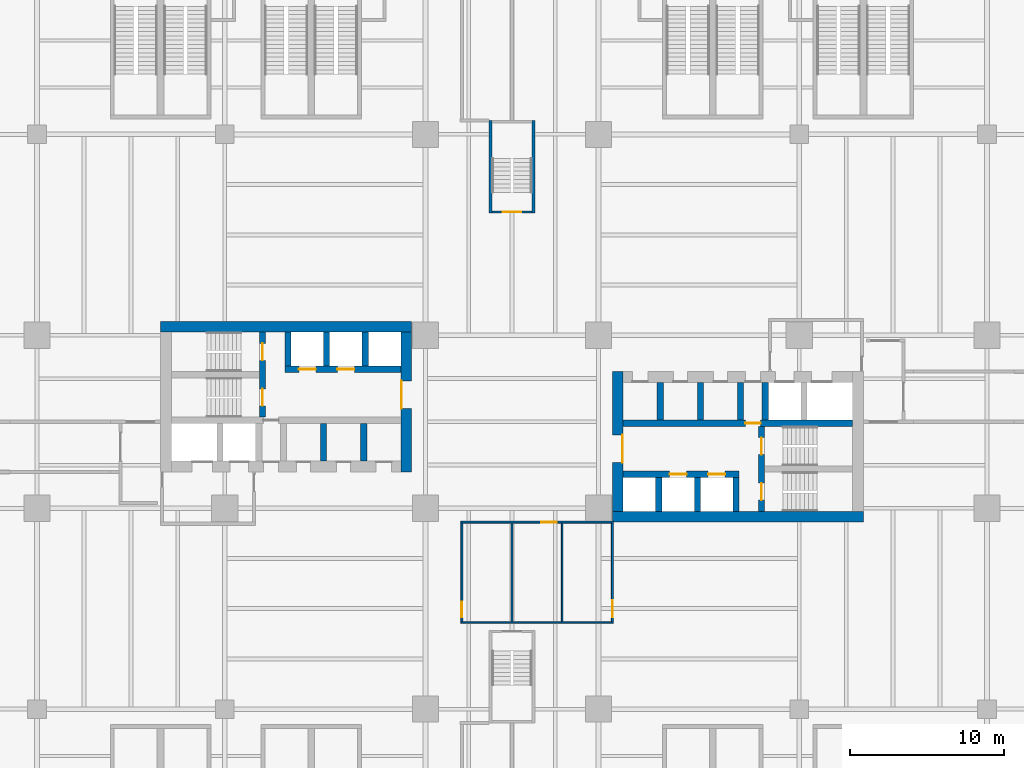
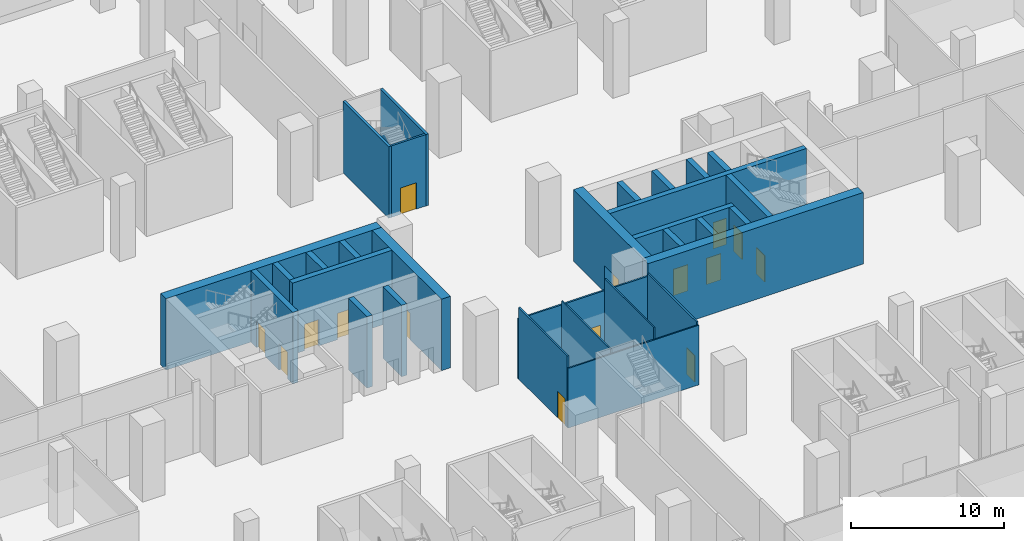
# One storey, part 35 of 41: 30 walls, 15 doors, 15 openings.
"""IFC4 building model written with IfcOpenShell, lengths in metres."""

from ifc_helpers import new_model, si_unit, direction, frame, frame_2d, origin, place, context, subcontext, project, spatial, rectangle, extrude, source, transform, mapped, material, layer, layer_set, type_object, element, fill, save


model = new_model("IFC4")

# Units and contexts
model_context = context("Model", 3, precision=1e-05, world=origin(), true_north=direction((0.0, 1.0)))
body_context = subcontext(model_context, "Body", "Model", "MODEL_VIEW")
ifc_project = project(units=[si_unit("LENGTHUNIT", "METRE"), si_unit("AREAUNIT", "SQUARE_METRE"), si_unit("VOLUMEUNIT", "CUBIC_METRE"), si_unit("PLANEANGLEUNIT", "RADIAN"), si_unit("MASSUNIT", "GRAM", prefix="KILO")], contexts=[model_context])

# Site, building, storey
site_placement = place(None, origin())
site = spatial("IfcSite", under=ifc_project, at=site_placement, CompositionType="ELEMENT")
building_placement = place(site_placement, origin())
building = spatial("IfcBuilding", under=site, at=building_placement, Name="Trellis Farm Tower", CompositionType="ELEMENT")
storey_placement = place(building_placement, frame((0.0, 0.0, 8.0)))
storey = spatial("IfcBuildingStorey", under=building, at=storey_placement, Name="L01", CompositionType="ELEMENT", Elevation=8.0)

# Walls
ifc_material_1 = material(Name="Plasterboard on steel studs", Category="steel")
ifc_layer_1 = layer(ifc_material_1, 0.10009765625)
ifc_layer_set_1 = layer_set([ifc_layer_1], Name="PARTITION 100 STUD EI 30")
wall_type_1 = type_object("IfcWallType", Name="PARTITION 100 STUD EI 30", PredefinedType="PARTITIONING", material=ifc_layer_set_1)
wall_1_placement = place(storey_placement, frame((0.0, -12.949951171875, 0.0), z_axis=(0.0, 0.0, 1.0), x_axis=(0.0, 1.0, 0.0)))
element("IfcWall", 1, at=wall_1_placement, inside=storey, type_object=wall_type_1, Name="Partition PW2", PredefinedType="PARTITIONING", context=body_context, shape_type="SweptSolid", body=[
    extrude(rectangle(XDim=6.387451171875, YDim=0.10009765625, at=frame_2d((3.19384765625, 0.0))), origin(), (0.0, 0.0, 1.0), 5.077392578125),
])
wall_2_placement = place(storey_placement, frame((3.25, -12.949951171875, 0.0), z_axis=(0.0, 0.0, 1.0), x_axis=(0.0, 1.0, 0.0)))
element("IfcWall", 2, at=wall_2_placement, inside=storey, type_object=wall_type_1, Name="Partition PW2", PredefinedType="PARTITIONING", context=body_context, shape_type="SweptSolid", body=[
    extrude(rectangle(XDim=6.387451171875, YDim=0.10009765625, at=frame_2d((3.19384765625, 0.0))), origin(), (0.0, 0.0, 1.0), 5.699951171875),
])
wall_3_placement = place(storey_placement, frame((-3.3125, -13.0, 0.0), z_axis=(0.0, 0.0, 1.0), x_axis=(1.0, 0.0, 0.0)))
element("IfcWall", 3, at=wall_3_placement, inside=storey, type_object=wall_type_1, Name="Partition PW2", PredefinedType="PARTITIONING", context=body_context, shape_type="SweptSolid", body=[
    extrude(rectangle(XDim=9.875, YDim=0.10009765625, at=frame_2d((4.9375, 0.0))), origin(), (0.0, 0.0, 1.0), 4.76171875),
])

# Wall, opening, door
ifc_material_2 = material(Name="Plasterboard on steel studs, mineral wool", Category="steel")
ifc_layer_2 = layer(ifc_material_2, 0.125)
ifc_layer_set_2 = layer_set([ifc_layer_2], Name="PARTITION 125 STUD EI 60")
wall_type_2 = type_object("IfcWallType", Name="PARTITION 125 STUD EI 60", PredefinedType="PARTITIONING", material=ifc_layer_set_2)
wall_4_placement = place(storey_placement, frame((-3.25, -6.5625, 0.0), z_axis=(0.0, 0.0, 1.0), x_axis=(0.0, -1.0, 0.0)))
wall_4 = element("IfcWall", 4, at=wall_4_placement, inside=storey, type_object=wall_type_2, Name="Partition PW1", PredefinedType="PARTITIONING", context=body_context, shape_type="SweptSolid", body=[
    extrude(rectangle(XDim=6.387451171875, YDim=0.125, at=frame_2d((3.19384765625, 0.0))), origin(), (0.0, 0.0, 1.0), 5.699951171875),
])
shared_shape_1 = source(origin(), body_context, "Body", "SweptSolid", [
    extrude(rectangle(XDim=1.0, YDim=2.10009765625, at=frame_2d((0.5, 1.050048828125))), frame((0.0, 0.072509765625, 0.0), z_axis=(0.0, -1.0, 0.0), x_axis=(1.0, 0.0, 0.0)), (0.0, 0.0, 1.0), 0.14501953125),
])
opening_1_placement = place(wall_4_placement, frame((5.08740234375, 0.0, 0.0)))
opening_1 = element("IfcOpeningElement", 5, at=opening_1_placement, cuts=wall_4, Name="Opening D101", PredefinedType="OPENING", context=body_context, shape_type="MappedRepresentation", body=[
    mapped(shared_shape_1, transform((0.0, 0.0, 0.0))),
])
ifc_material_3 = material(Name="Fire-rated timber door leaf in a hollow metal frame", Category="wood")
door_type_1 = type_object("IfcDoorType", Name="DOOR 1000x2100 FD30S", OperationType="NOTDEFINED", PredefinedType="DOOR", material=ifc_material_3)
shared_shape_2 = source(origin(), body_context, "Body", "SweptSolid", [
    extrude(rectangle(XDim=1.0, YDim=2.10009765625, at=frame_2d((0.5, 1.050048828125))), frame((0.0, 0.02490234375, 0.0), z_axis=(0.0, -1.0, 0.0), x_axis=(1.0, 0.0, 0.0)), (0.0, 0.0, 1.0), 0.050048828125),
])
door_1_placement = place(opening_1_placement, origin())
door_1 = element("IfcDoor", 6, at=door_1_placement, inside=storey, type_object=door_type_1, Name="Door D101", OperationType="SINGLE_SWING_RIGHT", OverallHeight=2.10009765625, OverallWidth=1.0, PredefinedType="DOOR", context=body_context, shape_type="MappedRepresentation", body=[
    mapped(shared_shape_2, transform((0.0, 0.0, 0.0))),
])
fill(opening_1, door_1)

wall_5_placement = place(storey_placement, frame((6.5, -12.949951171875, 0.0), z_axis=(0.0, 0.0, 1.0), x_axis=(0.0, 1.0, 0.0)))
wall_5 = element("IfcWall", 7, at=wall_5_placement, inside=storey, type_object=wall_type_2, Name="Partition PW1", PredefinedType="PARTITIONING", context=body_context, shape_type="SweptSolid", body=[
    extrude(rectangle(XDim=6.387451171875, YDim=0.125, at=frame_2d((3.19384765625, 0.0))), origin(), (0.0, 0.0, 1.0), 4.99658203125),
])
shared_shape_3 = source(origin(), body_context, "Body", "SweptSolid", [
    extrude(rectangle(XDim=1.10009765625, YDim=2.10009765625, at=frame_2d((0.550048828125, 1.050048828125))), frame((0.0, 0.072509765625, 0.0), z_axis=(0.0, -1.0, 0.0), x_axis=(1.0, 0.0, 0.0)), (0.0, 0.0, 1.0), 0.14501953125),
])
opening_2_placement = place(wall_5_placement, frame((0.300048828125, 0.0, 0.0)))
opening_2 = element("IfcOpeningElement", 8, at=opening_2_placement, cuts=wall_5, Name="Opening D501", PredefinedType="OPENING", context=body_context, shape_type="MappedRepresentation", body=[
    mapped(shared_shape_3, transform((0.0, 0.0, 0.0))),
])
door_type_2 = type_object("IfcDoorType", Name="DOOR 1100x2100 FD30S", OperationType="NOTDEFINED", PredefinedType="DOOR", material=ifc_material_3)
shared_shape_4 = source(origin(), body_context, "Body", "SweptSolid", [
    extrude(rectangle(XDim=1.10009765625, YDim=2.10009765625, at=frame_2d((0.550048828125, 1.050048828125))), frame((0.0, 0.02490234375, 0.0), z_axis=(0.0, -1.0, 0.0), x_axis=(1.0, 0.0, 0.0)), (0.0, 0.0, 1.0), 0.050048828125),
])
door_2_placement = place(opening_2_placement, origin())
door_2 = element("IfcDoor", 9, at=door_2_placement, inside=storey, type_object=door_type_2, Name="Door D501", OperationType="SINGLE_SWING_LEFT", OverallHeight=2.10009765625, OverallWidth=1.10009765625, PredefinedType="DOOR", context=body_context, shape_type="MappedRepresentation", body=[
    mapped(shared_shape_4, transform((0.0, 0.0, 0.0))),
])
fill(opening_2, door_2)

wall_6_placement = place(storey_placement, frame((6.5625, -6.5, 0.0), z_axis=(0.0, 0.0, 1.0), x_axis=(-1.0, 0.0, 0.0)))
wall_6 = element("IfcWall", 10, at=wall_6_placement, inside=storey, type_object=wall_type_2, Name="Partition PW1", PredefinedType="PARTITIONING", context=body_context, shape_type="SweptSolid", body=[
    extrude(rectangle(XDim=9.875, YDim=0.125, at=frame_2d((4.9375, 0.0))), origin(), (0.0, 0.0, 1.0), 4.76171875),
])
opening_3_placement = place(wall_6_placement, frame((3.66259765625, 0.0, 0.0)))
opening_3 = element("IfcOpeningElement", 11, at=opening_3_placement, cuts=wall_6, Name="Opening D102", PredefinedType="OPENING", context=body_context, shape_type="MappedRepresentation", body=[
    mapped(shared_shape_1, transform((0.0, 0.0, 0.0))),
])
door_3_placement = place(opening_3_placement, origin())
door_3 = element("IfcDoor", 12, at=door_3_placement, inside=storey, type_object=door_type_1, Name="Door D102", OperationType="SINGLE_SWING_LEFT", OverallHeight=2.10009765625, OverallWidth=1.0, PredefinedType="DOOR", context=body_context, shape_type="MappedRepresentation", body=[
    mapped(shared_shape_2, transform((0.0, 0.0, 0.0))),
])
fill(opening_3, door_3)

ifc_material_4 = material(Name="Concrete C80/95", Category="concrete")
ifc_layer_3 = layer(ifc_material_4, 0.699951171875)
ifc_layer_set_3 = layer_set([ifc_layer_3], Name="CORE OUTER WALL 700 CONCRETE C80/95")
wall_type_3 = type_object("IfcWallType", Name="CORE OUTER WALL 700 CONCRETE C80/95", PredefinedType="SHEAR", material=ifc_layer_set_3)
shared_shape_5 = source(origin(), body_context, "Body", "SweptSolid", [
    extrude(rectangle(XDim=9.050048828125, YDim=0.699951171875, at=frame_2d((4.52490234375, 0.0))), origin(), (0.0, 0.0, 1.0), 5.699951171875),
])
wall_7_placement = place(storey_placement, frame((6.85009765625, -5.800048828125, 0.0), z_axis=(0.0, 0.0, 1.0), x_axis=(0.0, 1.0, 0.0)))
wall_7 = element("IfcWall", 13, at=wall_7_placement, inside=storey, type_object=wall_type_3, Name="Core wall", PredefinedType="SHEAR", context=body_context, shape_type="MappedRepresentation", body=[
    mapped(shared_shape_5, transform((0.0, 0.0, 0.0))),
])
shared_shape_6 = source(origin(), body_context, "Body", "SweptSolid", [
    extrude(rectangle(XDim=1.800048828125, YDim=2.10009765625, at=frame_2d((0.89990234375, 1.050048828125))), frame((0.0, 0.360107421875, 0.0), z_axis=(0.0, -1.0, 0.0), x_axis=(1.0, 0.0, 0.0)), (0.0, 0.0, 1.0), 0.72021484375),
])
opening_4_placement = place(wall_7_placement, frame((3.14990234375, 0.0, 0.0)))
opening_4 = element("IfcOpeningElement", 14, at=opening_4_placement, cuts=wall_7, Name="Opening DC1", PredefinedType="OPENING", context=body_context, shape_type="MappedRepresentation", body=[
    mapped(shared_shape_6, transform((0.0, 0.0, 0.0))),
])
ifc_material_5 = material(Name="Steel", Category="steel")
door_type_3 = type_object("IfcDoorType", Name="CORE FIRE DOOR DOUBLE 1800 X 2100", OperationType="DOUBLE_DOOR_SINGLE_SWING", PredefinedType="DOOR", material=ifc_material_5)
shared_shape_7 = source(origin(), body_context, "Body", "SweptSolid", [
    extrude(rectangle(XDim=1.800048828125, YDim=2.10009765625, at=frame_2d((0.89990234375, 1.050048828125))), frame((0.0, -0.27490234375, 0.0), z_axis=(0.0, -1.0, 0.0), x_axis=(1.0, 0.0, 0.0)), (0.0, 0.0, 1.0), 0.050048828125),
])
door_4_placement = place(opening_4_placement, origin())
door_4 = element("IfcDoor", 15, at=door_4_placement, inside=storey, type_object=door_type_3, Name="Core door", OperationType="DOUBLE_DOOR_SINGLE_SWING", OverallHeight=2.10009765625, OverallWidth=1.800048828125, PredefinedType="DOOR", context=body_context, shape_type="MappedRepresentation", body=[
    mapped(shared_shape_7, transform((0.0, 0.0, 0.0))),
])
fill(opening_4, door_4)

wall_8_placement = place(storey_placement, frame((-6.85009765625, 5.800048828125, 0.0), z_axis=(0.0, 0.0, 1.0), x_axis=(0.0, -1.0, 0.0)))
wall_8 = element("IfcWall", 16, at=wall_8_placement, inside=storey, type_object=wall_type_3, Name="Core wall", PredefinedType="SHEAR", context=body_context, shape_type="MappedRepresentation", body=[
    mapped(shared_shape_5, transform((0.0, 0.0, 0.0))),
])
opening_5_placement = place(wall_8_placement, frame((3.14990234375, 0.0, 0.0)))
opening_5 = element("IfcOpeningElement", 17, at=opening_5_placement, cuts=wall_8, Name="Opening DC87", PredefinedType="OPENING", context=body_context, shape_type="MappedRepresentation", body=[
    mapped(shared_shape_6, transform((0.0, 0.0, 0.0))),
])
door_5_placement = place(opening_5_placement, origin())
door_5 = element("IfcDoor", 18, at=door_5_placement, inside=storey, type_object=door_type_3, Name="Core door", OperationType="DOUBLE_DOOR_SINGLE_SWING", OverallHeight=2.10009765625, OverallWidth=1.800048828125, PredefinedType="DOOR", context=body_context, shape_type="MappedRepresentation", body=[
    mapped(shared_shape_7, transform((0.0, 0.0, 0.0))),
])
fill(opening_5, door_5)

# Walls
ifc_layer_4 = layer(ifc_material_4, 0.39990234375)
ifc_layer_set_4 = layer_set([ifc_layer_4], Name="CORE INNER WALL 400 CONCRETE C80/95")
wall_type_4 = type_object("IfcWallType", Name="CORE INNER WALL 400 CONCRETE C80/95", PredefinedType="SHEAR", material=ifc_layer_set_4)
shared_shape_8 = source(origin(), body_context, "Body", "SweptSolid", [
    extrude(rectangle(XDim=2.199951171875, YDim=0.39990234375, at=frame_2d((1.10009765625, 0.0))), origin(), (0.0, 0.0, 1.0), 5.699951171875),
])
for number, where, z_axis, x_axis, name in (
    (19, (9.5, -5.800048828125, 0.0), (0.0, 0.0, 1.0), (0.0, 1.0, 0.0), "Core wall"),
    (20, (12.0, -5.800048828125, 0.0), (0.0, 0.0, 1.0), (0.0, 1.0, 0.0), "Core wall"),
    (21, (14.5, -5.800048828125, 0.0), (0.0, 0.0, 1.0), (0.0, 1.0, 0.0), "Core wall"),
    (22, (-9.5, 5.800048828125, 0.0), (0.0, 0.0, 1.0), (0.0, -1.0, 0.0), "Core wall"),
    (23, (-12.0, 5.800048828125, 0.0), (0.0, 0.0, 1.0), (0.0, -1.0, 0.0), "Core wall"),
    (24, (-14.5, 5.800048828125, 0.0), (0.0, 0.0, 1.0), (0.0, -1.0, 0.0), "Core wall"),
):
    element("IfcWall", number, at=place(storey_placement, frame(where, z_axis=z_axis, x_axis=x_axis)), inside=storey, type_object=wall_type_4, Name=name, PredefinedType="SHEAR", context=body_context, shape_type="MappedRepresentation", body=[
        mapped(shared_shape_8, transform((0.0, 0.0, 0.0))),
    ])
shared_shape_9 = source(origin(), body_context, "Body", "SweptSolid", [
    extrude(rectangle(XDim=2.449951171875, YDim=0.39990234375, at=frame_2d((1.22509765625, 0.0))), origin(), (0.0, 0.0, 1.0), 5.699951171875),
])
for number, where, z_axis, x_axis, name in (
    (25, (9.60009765625, 0.10009765625, 0.0), (0.0, 0.0, 1.0), (0.0, 1.0, 0.0), "Core wall"),
    (26, (12.199951171875, 0.10009765625, 0.0), (0.0, 0.0, 1.0), (0.0, 1.0, 0.0), "Core wall"),
    (27, (14.800048828125, 0.10009765625, 0.0), (0.0, 0.0, 1.0), (0.0, 1.0, 0.0), "Core wall"),
    (28, (16.39990234375, 0.10009765625, 0.0), (0.0, 0.0, 1.0), (0.0, 1.0, 0.0), "Core wall"),
    (29, (-9.60009765625, -0.10009765625, 0.0), (0.0, 0.0, 1.0), (0.0, -1.0, 0.0), "Core wall"),
    (30, (-12.199951171875, -0.10009765625, 0.0), (0.0, 0.0, 1.0), (0.0, -1.0, 0.0), "Core wall"),
):
    element("IfcWall", number, at=place(storey_placement, frame(where, z_axis=z_axis, x_axis=x_axis)), inside=storey, type_object=wall_type_4, Name=name, PredefinedType="SHEAR", context=body_context, shape_type="MappedRepresentation", body=[
        mapped(shared_shape_9, transform((0.0, 0.0, 0.0))),
    ])
shared_shape_10 = source(origin(), body_context, "Body", "SweptSolid", [
    extrude(rectangle(XDim=16.25, YDim=0.699951171875, at=frame_2d((8.125, 0.0))), origin(), (0.0, 0.0, 1.0), 5.699951171875),
])
for number, where, z_axis, x_axis, name in (
    (31, (6.5, -6.14990234375, 0.0), (0.0, 0.0, 1.0), (1.0, 0.0, 0.0), "Core wall"),
    (32, (-6.5, 6.14990234375, 0.0), (0.0, 0.0, 1.0), (-1.0, 0.0, 0.0), "Core wall"),
):
    element("IfcWall", number, at=place(storey_placement, frame(where, z_axis=z_axis, x_axis=x_axis)), inside=storey, type_object=wall_type_3, Name=name, PredefinedType="SHEAR", context=body_context, shape_type="MappedRepresentation", body=[
        mapped(shared_shape_10, transform((0.0, 0.0, 0.0))),
    ])

# Wall, openings, doors
shared_shape_11 = source(origin(), body_context, "Body", "SweptSolid", [
    extrude(rectangle(XDim=7.5, YDim=0.39990234375, at=frame_2d((3.75, 0.0))), origin(), (0.0, 0.0, 1.0), 5.699951171875),
])
wall_9_placement = place(storey_placement, frame((7.199951171875, -3.39990234375, 0.0), z_axis=(0.0, 0.0, 1.0), x_axis=(1.0, 0.0, 0.0)))
wall_9 = element("IfcWall", 33, at=wall_9_placement, inside=storey, type_object=wall_type_4, Name="Core wall", PredefinedType="SHEAR", context=body_context, shape_type="MappedRepresentation", body=[
    mapped(shared_shape_11, transform((0.0, 0.0, 0.0))),
])
shared_shape_12 = source(origin(), body_context, "Body", "SweptSolid", [
    extrude(rectangle(XDim=1.10009765625, YDim=2.10009765625, at=frame_2d((0.550048828125, 1.050048828125))), frame((0.0, 0.2099609375, 0.0), z_axis=(0.0, -1.0, 0.0), x_axis=(1.0, 0.0, 0.0)), (0.0, 0.0, 1.0), 0.419921875),
])
opening_6_placement = place(wall_9_placement, frame((3.0, 0.0, 0.0)))
opening_6 = element("IfcOpeningElement", 34, at=opening_6_placement, cuts=wall_9, Name="Opening LD2", PredefinedType="OPENING", context=body_context, shape_type="MappedRepresentation", body=[
    mapped(shared_shape_12, transform((0.0, 0.0, 0.0))),
])
opening_7_placement = place(wall_9_placement, frame((5.5, 0.0, 0.0)))
opening_7 = element("IfcOpeningElement", 35, at=opening_7_placement, cuts=wall_9, Name="Opening LD3", PredefinedType="OPENING", context=body_context, shape_type="MappedRepresentation", body=[
    mapped(shared_shape_12, transform((0.0, 0.0, 0.0))),
])
ifc_material_6 = material(Name="Stainless steel", Category="steel")
door_type_4 = type_object("IfcDoorType", Name="LIFT LANDING DOOR 1100 X 2100", OperationType="DOUBLE_DOOR_SLIDING", PredefinedType="DOOR", material=ifc_material_6)
door_6_placement = place(opening_6_placement, origin())
door_6 = element("IfcDoor", 36, at=door_6_placement, inside=storey, type_object=door_type_4, Name="Lift landing door", OperationType="DOUBLE_DOOR_SLIDING", OverallHeight=2.10009765625, OverallWidth=1.10009765625, PredefinedType="DOOR", context=body_context, shape_type="MappedRepresentation", body=[
    mapped(shared_shape_4, transform((0.0, 0.0, 0.0))),
])
fill(opening_6, door_6)
door_7_placement = place(opening_7_placement, origin())
door_7 = element("IfcDoor", 37, at=door_7_placement, inside=storey, type_object=door_type_4, Name="Lift landing door", OperationType="DOUBLE_DOOR_SLIDING", OverallHeight=2.10009765625, OverallWidth=1.10009765625, PredefinedType="DOOR", context=body_context, shape_type="MappedRepresentation", body=[
    mapped(shared_shape_4, transform((0.0, 0.0, 0.0))),
])
fill(opening_7, door_7)

wall_10_placement = place(storey_placement, frame((-7.199951171875, 3.39990234375, 0.0), z_axis=(0.0, 0.0, 1.0), x_axis=(-1.0, 0.0, 0.0)))
wall_10 = element("IfcWall", 38, at=wall_10_placement, inside=storey, type_object=wall_type_4, Name="Core wall", PredefinedType="SHEAR", context=body_context, shape_type="MappedRepresentation", body=[
    mapped(shared_shape_11, transform((0.0, 0.0, 0.0))),
])
opening_8_placement = place(wall_10_placement, frame((3.0, 0.0, 0.0)))
opening_8 = element("IfcOpeningElement", 39, at=opening_8_placement, cuts=wall_10, Name="Opening LD10", PredefinedType="OPENING", context=body_context, shape_type="MappedRepresentation", body=[
    mapped(shared_shape_12, transform((0.0, 0.0, 0.0))),
])
opening_9_placement = place(wall_10_placement, frame((5.5, 0.0, 0.0)))
opening_9 = element("IfcOpeningElement", 40, at=opening_9_placement, cuts=wall_10, Name="Opening LD11", PredefinedType="OPENING", context=body_context, shape_type="MappedRepresentation", body=[
    mapped(shared_shape_12, transform((0.0, 0.0, 0.0))),
])
door_8_placement = place(opening_8_placement, origin())
door_8 = element("IfcDoor", 41, at=door_8_placement, inside=storey, type_object=door_type_4, Name="Lift landing door", OperationType="DOUBLE_DOOR_SLIDING", OverallHeight=2.10009765625, OverallWidth=1.10009765625, PredefinedType="DOOR", context=body_context, shape_type="MappedRepresentation", body=[
    mapped(shared_shape_4, transform((0.0, 0.0, 0.0))),
])
fill(opening_8, door_8)
door_9_placement = place(opening_9_placement, origin())
door_9 = element("IfcDoor", 42, at=door_9_placement, inside=storey, type_object=door_type_4, Name="Lift landing door", OperationType="DOUBLE_DOOR_SLIDING", OverallHeight=2.10009765625, OverallWidth=1.10009765625, PredefinedType="DOOR", context=body_context, shape_type="MappedRepresentation", body=[
    mapped(shared_shape_4, transform((0.0, 0.0, 0.0))),
])
fill(opening_9, door_9)

# Wall, opening, door
shared_shape_13 = source(origin(), body_context, "Body", "SweptSolid", [
    extrude(rectangle(XDim=14.85009765625, YDim=0.39990234375, at=frame_2d((7.425048828125, 0.0))), origin(), (0.0, 0.0, 1.0), 5.699951171875),
])
wall_11_placement = place(storey_placement, frame((7.199951171875, -0.10009765625, 0.0), z_axis=(0.0, 0.0, 1.0), x_axis=(1.0, 0.0, 0.0)))
wall_11 = element("IfcWall", 43, at=wall_11_placement, inside=storey, type_object=wall_type_4, Name="Core wall", PredefinedType="SHEAR", context=body_context, shape_type="MappedRepresentation", body=[
    mapped(shared_shape_13, transform((0.0, 0.0, 0.0))),
])
shared_shape_14 = source(origin(), body_context, "Body", "SweptSolid", [
    extrude(rectangle(XDim=1.0, YDim=2.10009765625, at=frame_2d((0.5, 1.050048828125))), frame((0.0, 0.2099609375, 0.0), z_axis=(0.0, -1.0, 0.0), x_axis=(1.0, 0.0, 0.0)), (0.0, 0.0, 1.0), 0.419921875),
])
opening_10_placement = place(wall_11_placement, frame((7.89990234375, 0.0, 0.0)))
opening_10 = element("IfcOpeningElement", 44, at=opening_10_placement, cuts=wall_11, Name="Opening DC5", PredefinedType="OPENING", context=body_context, shape_type="MappedRepresentation", body=[
    mapped(shared_shape_14, transform((0.0, 0.0, 0.0))),
])
door_type_5 = type_object("IfcDoorType", Name="CORE FIRE DOOR 1000 X 2100", OperationType="NOTDEFINED", PredefinedType="DOOR", material=ifc_material_5)
door_10_placement = place(opening_10_placement, origin())
door_10 = element("IfcDoor", 45, at=door_10_placement, inside=storey, type_object=door_type_5, Name="Core door", OperationType="SINGLE_SWING_RIGHT", OverallHeight=2.10009765625, OverallWidth=1.0, PredefinedType="DOOR", context=body_context, shape_type="MappedRepresentation", body=[
    mapped(shared_shape_2, transform((0.0, 0.0, 0.0))),
])
fill(opening_10, door_10)

# Wall, openings, doors
shared_shape_15 = source(origin(), body_context, "Body", "SweptSolid", [
    extrude(rectangle(XDim=5.5, YDim=0.39990234375, at=frame_2d((2.75, 0.0))), origin(), (0.0, 0.0, 1.0), 5.699951171875),
])
wall_12_placement = place(storey_placement, frame((16.14990234375, -5.800048828125, 0.0), z_axis=(0.0, 0.0, 1.0), x_axis=(0.0, 1.0, 0.0)))
wall_12 = element("IfcWall", 46, at=wall_12_placement, inside=storey, type_object=wall_type_4, Name="Core wall", PredefinedType="SHEAR", context=body_context, shape_type="MappedRepresentation", body=[
    mapped(shared_shape_15, transform((0.0, 0.0, 0.0))),
])
opening_11_placement = place(wall_12_placement, frame((0.72509765625, 0.0, 0.0)))
opening_11 = element("IfcOpeningElement", 47, at=opening_11_placement, cuts=wall_12, Name="Opening DC2", PredefinedType="OPENING", context=body_context, shape_type="MappedRepresentation", body=[
    mapped(shared_shape_12, transform((0.0, 0.0, 0.0))),
])
opening_12_placement = place(wall_12_placement, frame((3.675048828125, 0.0, 0.0)))
opening_12 = element("IfcOpeningElement", 48, at=opening_12_placement, cuts=wall_12, Name="Opening DC3", PredefinedType="OPENING", context=body_context, shape_type="MappedRepresentation", body=[
    mapped(shared_shape_12, transform((0.0, 0.0, 0.0))),
])
door_type_6 = type_object("IfcDoorType", Name="CORE FIRE DOOR 1100 X 2100", OperationType="NOTDEFINED", PredefinedType="DOOR", material=ifc_material_5)
door_11_placement = place(opening_11_placement, origin())
door_11 = element("IfcDoor", 49, at=door_11_placement, inside=storey, type_object=door_type_6, Name="Core door", OperationType="SINGLE_SWING_RIGHT", OverallHeight=2.10009765625, OverallWidth=1.10009765625, PredefinedType="DOOR", context=body_context, shape_type="MappedRepresentation", body=[
    mapped(shared_shape_4, transform((0.0, 0.0, 0.0))),
])
fill(opening_11, door_11)
door_12_placement = place(opening_12_placement, origin())
door_12 = element("IfcDoor", 50, at=door_12_placement, inside=storey, type_object=door_type_6, Name="Core door", OperationType="SINGLE_SWING_LEFT", OverallHeight=2.10009765625, OverallWidth=1.10009765625, PredefinedType="DOOR", context=body_context, shape_type="MappedRepresentation", body=[
    mapped(shared_shape_4, transform((0.0, 0.0, 0.0))),
])
fill(opening_12, door_12)

wall_13_placement = place(storey_placement, frame((-16.14990234375, 5.800048828125, 0.0), z_axis=(0.0, 0.0, 1.0), x_axis=(0.0, -1.0, 0.0)))
wall_13 = element("IfcWall", 51, at=wall_13_placement, inside=storey, type_object=wall_type_4, Name="Core wall", PredefinedType="SHEAR", context=body_context, shape_type="MappedRepresentation", body=[
    mapped(shared_shape_15, transform((0.0, 0.0, 0.0))),
])
opening_13_placement = place(wall_13_placement, frame((0.72509765625, 0.0, 0.0)))
opening_13 = element("IfcOpeningElement", 52, at=opening_13_placement, cuts=wall_13, Name="Opening DC88", PredefinedType="OPENING", context=body_context, shape_type="MappedRepresentation", body=[
    mapped(shared_shape_12, transform((0.0, 0.0, 0.0))),
])
opening_14_placement = place(wall_13_placement, frame((3.675048828125, 0.0, 0.0)))
opening_14 = element("IfcOpeningElement", 53, at=opening_14_placement, cuts=wall_13, Name="Opening DC89", PredefinedType="OPENING", context=body_context, shape_type="MappedRepresentation", body=[
    mapped(shared_shape_12, transform((0.0, 0.0, 0.0))),
])
door_13_placement = place(opening_13_placement, origin())
door_13 = element("IfcDoor", 54, at=door_13_placement, inside=storey, type_object=door_type_6, Name="Core door", OperationType="SINGLE_SWING_RIGHT", OverallHeight=2.10009765625, OverallWidth=1.10009765625, PredefinedType="DOOR", context=body_context, shape_type="MappedRepresentation", body=[
    mapped(shared_shape_4, transform((0.0, 0.0, 0.0))),
])
fill(opening_13, door_13)
door_14_placement = place(opening_14_placement, origin())
door_14 = element("IfcDoor", 55, at=door_14_placement, inside=storey, type_object=door_type_6, Name="Core door", OperationType="SINGLE_SWING_LEFT", OverallHeight=2.10009765625, OverallWidth=1.10009765625, PredefinedType="DOOR", context=body_context, shape_type="MappedRepresentation", body=[
    mapped(shared_shape_4, transform((0.0, 0.0, 0.0))),
])
fill(opening_14, door_14)

# Walls
ifc_layer_5 = layer(ifc_material_4, 0.199951171875)
ifc_layer_set_5 = layer_set([ifc_layer_5], Name="CORE STAIR ENCLOSURE WALL 200 CONCRETE C80/95")
wall_type_5 = type_object("IfcWallType", Name="CORE STAIR ENCLOSURE WALL 200 CONCRETE C80/95", PredefinedType="SHEAR", material=ifc_layer_set_5)
shared_shape_16 = source(origin(), body_context, "Body", "SweptSolid", [
    extrude(rectangle(XDim=6.0, YDim=0.199951171875, at=frame_2d((3.0, 0.0))), origin(), (0.0, 0.0, 1.0), 5.699951171875),
])
for number, where, z_axis, x_axis, name in (
    (56, (-1.39990234375, 13.5, 0.0), (0.0, 0.0, 1.0), (0.0, 1.0, 0.0), "Stair enclosure wall"),
    (57, (1.39990234375, 13.5, 0.0), (0.0, 0.0, 1.0), (0.0, 1.0, 0.0), "Stair enclosure wall"),
):
    element("IfcWall", number, at=place(storey_placement, frame(where, z_axis=z_axis, x_axis=x_axis)), inside=storey, type_object=wall_type_5, Name=name, PredefinedType="SHEAR", context=body_context, shape_type="MappedRepresentation", body=[
        mapped(shared_shape_16, transform((0.0, 0.0, 0.0))),
    ])

# Wall, opening, door
ifc_layer_6 = layer(ifc_material_4, 0.14990234375)
ifc_layer_set_6 = layer_set([ifc_layer_6], Name="CORE STAIR ENCLOSURE WALL 150 CONCRETE C80/95")
wall_type_6 = type_object("IfcWallType", Name="CORE STAIR ENCLOSURE WALL 150 CONCRETE C80/95", PredefinedType="SHEAR", material=ifc_layer_set_6)
shared_shape_17 = source(origin(), body_context, "Body", "SweptSolid", [
    extrude(rectangle(XDim=2.60009765625, YDim=0.14990234375, at=frame_2d((1.300048828125, 0.0))), origin(), (0.0, 0.0, 1.0), 5.699951171875),
])
wall_14_placement = place(storey_placement, frame((-1.300048828125, 13.574951171875, 0.0), z_axis=(0.0, 0.0, 1.0), x_axis=(1.0, 0.0, 0.0)))
wall_14 = element("IfcWall", 58, at=wall_14_placement, inside=storey, type_object=wall_type_6, Name="Stair enclosure wall", PredefinedType="SHEAR", context=body_context, shape_type="MappedRepresentation", body=[
    mapped(shared_shape_17, transform((0.0, 0.0, 0.0))),
])
shared_shape_18 = source(origin(), body_context, "Body", "SweptSolid", [
    extrude(rectangle(XDim=1.199951171875, YDim=2.10009765625, at=frame_2d((0.60009765625, 1.050048828125))), frame((0.0, 0.0849609375, 0.0), z_axis=(0.0, -1.0, 0.0), x_axis=(1.0, 0.0, 0.0)), (0.0, 0.0, 1.0), 0.169921875),
])
opening_15_placement = place(wall_14_placement, frame((0.699951171875, 0.0, 0.0)))
opening_15 = element("IfcOpeningElement", 59, at=opening_15_placement, cuts=wall_14, Name="Opening DC173", PredefinedType="OPENING", context=body_context, shape_type="MappedRepresentation", body=[
    mapped(shared_shape_18, transform((0.0, 0.0, 0.0))),
])
door_type_7 = type_object("IfcDoorType", Name="CORE FIRE DOOR 1200 X 2100", OperationType="NOTDEFINED", PredefinedType="DOOR", material=ifc_material_5)
shared_shape_19 = source(origin(), body_context, "Body", "SweptSolid", [
    extrude(rectangle(XDim=1.199951171875, YDim=2.10009765625, at=frame_2d((0.60009765625, 1.050048828125))), frame((0.0, 0.02490234375, 0.0), z_axis=(0.0, -1.0, 0.0), x_axis=(1.0, 0.0, 0.0)), (0.0, 0.0, 1.0), 0.050048828125),
])
door_15_placement = place(opening_15_placement, origin())
door_15 = element("IfcDoor", 60, at=door_15_placement, inside=storey, type_object=door_type_7, Name="Core door", OperationType="SINGLE_SWING_LEFT", OverallHeight=2.10009765625, OverallWidth=1.199951171875, PredefinedType="DOOR", context=body_context, shape_type="MappedRepresentation", body=[
    mapped(shared_shape_19, transform((0.0, 0.0, 0.0))),
])
fill(opening_15, door_15)

save(model, "model.ifc")
